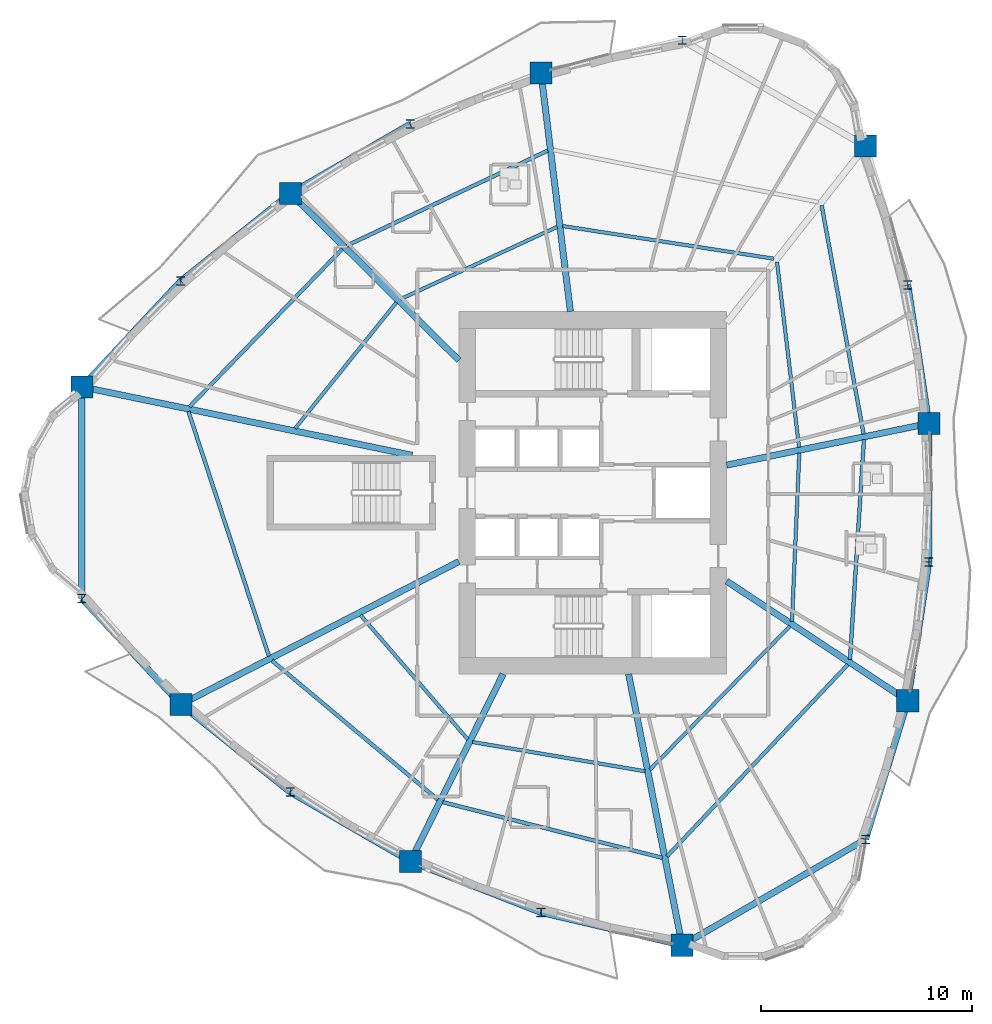
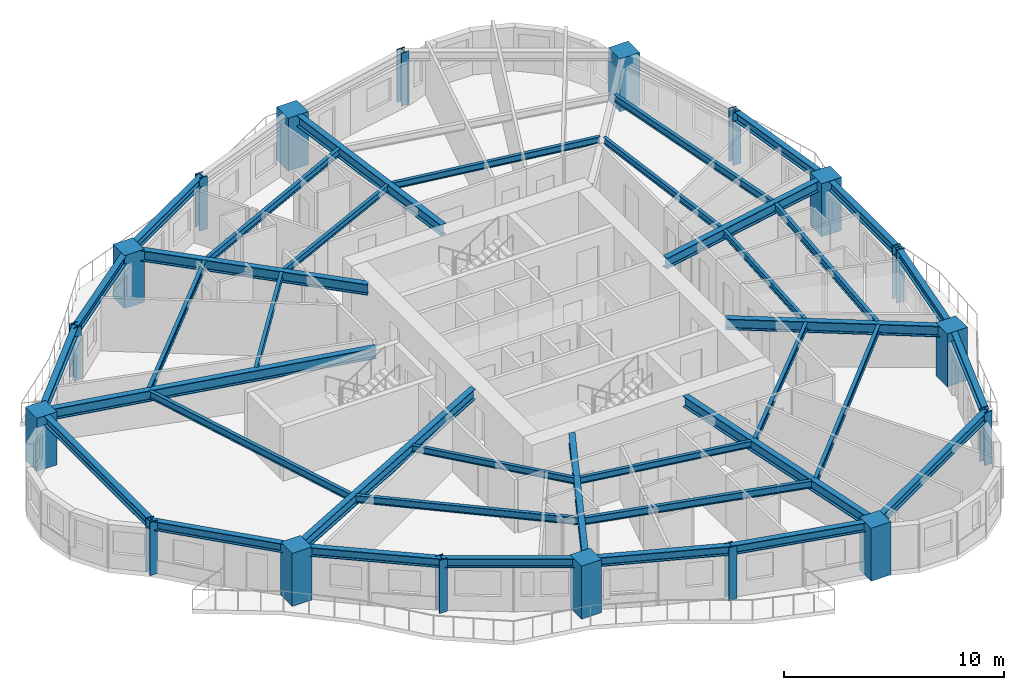
# One storey, part 1 of 13: 38 beams, 18 columns.
"""IFC4 building model written with IfcOpenShell, lengths in metres."""

from ifc_helpers import new_model, si_unit, direction, frame, origin, origin_2d, place, context, subcontext, project, spatial, rectangle, i_section, extrude, source, transform, mapped, material, material_profile, profile_set, type_object, element, save


model = new_model("IFC4")

# Units and contexts
model_context = context("Model", 3, precision=1e-05, world=origin(), true_north=direction((0.0, 1.0)))
body_context = subcontext(model_context, "Body", "Model", "MODEL_VIEW")
ifc_project = project(units=[si_unit("LENGTHUNIT", "METRE"), si_unit("AREAUNIT", "SQUARE_METRE"), si_unit("VOLUMEUNIT", "CUBIC_METRE"), si_unit("PLANEANGLEUNIT", "RADIAN"), si_unit("MASSUNIT", "GRAM", prefix="KILO")], contexts=[model_context])

# Site, building, storey
site_placement = place(None, origin())
site = spatial("IfcSite", under=ifc_project, at=site_placement, CompositionType="ELEMENT")
building_placement = place(site_placement, origin())
building = spatial("IfcBuilding", under=site, at=building_placement, Name="Qafzar Sky-Pleat Residences", CompositionType="ELEMENT")
storey_placement = place(building_placement, frame((0.0, 0.0, 46.199951171875)))
storey = spatial("IfcBuildingStorey", under=building, at=storey_placement, Name="L13", CompositionType="ELEMENT", Elevation=46.199951171875)

# Columns
ifc_material_1 = material(Name="Concrete C60/75", Category="concrete")
ifc_material_profile_1 = material_profile(ifc_material_1, rectangle(XDim=1.050048828125, YDim=1.050048828125, at=origin_2d()), Name="RC 1050x1050")
ifc_profile_set_1 = profile_set([ifc_material_profile_1], Name="Concrete C60/75")
column_type_1 = type_object("IfcColumnType", Name="COL-RC-1050", PredefinedType="COLUMN", material=ifc_profile_set_1)
shared_shape_1 = source(origin(), body_context, "Body", "SweptSolid", [
    extrude(rectangle(XDim=1.050048828125, YDim=1.050048828125, at=origin_2d()), origin(), (0.0, 0.0, 1.0), 2.93994140625),
])
for number, where, z_axis, x_axis, name in (
    (1, (6.1201171875, 31.02294921875, 0.0), (0.0, 0.0, 1.0), (1.0, 0.0, 0.0), "L13 Perimeter Mega Column 1"),
    (2, (10.814697265625, 15.95849609375, 0.0), (0.0, 0.0, 1.0), (1.0, 0.0, 0.0), "L13 Perimeter Mega Column 3"),
    (3, (21.702880859375, 8.518310546875, 0.0), (0.0, 0.0, 1.0), (1.0, 0.0, 0.0), "L13 Perimeter Mega Column 5"),
    (4, (34.590087890625, 4.539794921875, 0.0), (0.0, 0.0, 1.0), (1.0, 0.0, 0.0), "L13 Perimeter Mega Column 7"),
    (5, (45.288818359375, 16.1376953125, 0.0), (0.0, 0.0, 1.0), (1.0, 0.0, 0.0), "L13 Perimeter Mega Column 9"),
    (6, (46.2880859375, 29.287353515625, 0.0), (0.0, 0.0, 1.0), (1.0, 0.0, 0.0), "L13 Perimeter Mega Column 11"),
    (7, (43.2900390625, 42.437255859375, 0.0), (0.0, 0.0, 1.0), (1.0, 0.0, 0.0), "L13 Perimeter Mega Column 13"),
    (8, (27.896484375, 45.90380859375, 0.0), (0.0, 0.0, 1.0), (1.0, 0.0, 0.0), "L13 Perimeter Mega Column 15"),
    (9, (16.0087890625, 40.1943359375, 0.0), (0.0, 0.0, 1.0), (1.0, 0.0, 0.0), "L13 Perimeter Mega Column 17"),
):
    element("IfcColumn", number, at=place(storey_placement, frame(where, z_axis=z_axis, x_axis=x_axis)), inside=storey, type_object=column_type_1, Name=name, PredefinedType="COLUMN", context=body_context, shape_type="MappedRepresentation", body=[
        mapped(shared_shape_1, transform((0.0, 0.0, 0.0), x_axis=(1.0, 0.0, 0.0), y_axis=(0.0, 1.0, 0.0), z_axis=(0.0, 0.0, 1.0), scale=1.0)),
    ])
ifc_material_2 = material(Name="Steel S460", Category="steel")
ifc_material_profile_2 = material_profile(ifc_material_2, i_section(OverallWidth=0.408935546875, OverallDepth=0.425048828125, WebThickness=0.030029296875, FlangeThickness=0.048095703125, FilletRadius=0.014892578125, at=origin_2d()), Name="HD 400x421")
ifc_profile_set_2 = profile_set([ifc_material_profile_2], Name="Steel S460")
column_type_2 = type_object("IfcColumnType", Name="COL-STL-HD421", PredefinedType="PILASTER", material=ifc_profile_set_2)
shared_shape_2 = source(origin(), body_context, "Body", "SweptSolid", [
    extrude(i_section(OverallWidth=0.408935546875, OverallDepth=0.425048828125, WebThickness=0.030029296875, FlangeThickness=0.048095703125, FilletRadius=0.014892578125, at=origin_2d()), origin(), (0.0, 0.0, 1.0), 2.93994140625),
])
for number, where, z_axis, x_axis, name in (
    (10, (6.1201171875, 20.97705078125, 0.0), (0.0, 0.0, 1.0), (1.0, 0.0, 0.0), "L13 Perimeter Mega Column 2"),
    (11, (16.0087890625, 11.8056640625, 0.0), (0.0, 0.0, 1.0), (1.0, 0.0, 0.0), "L13 Perimeter Mega Column 4"),
    (12, (27.896484375, 6.09619140625, 0.0), (0.0, 0.0, 1.0), (1.0, 0.0, 0.0), "L13 Perimeter Mega Column 6"),
    (13, (43.2900390625, 9.562744140625, 0.0), (0.0, 0.0, 1.0), (1.0, 0.0, 0.0), "L13 Perimeter Mega Column 8"),
    (14, (46.2880859375, 22.712646484375, 0.0), (0.0, 0.0, 1.0), (1.0, 0.0, 0.0), "L13 Perimeter Mega Column 10"),
    (15, (45.288818359375, 35.8623046875, 0.0), (0.0, 0.0, 1.0), (1.0, 0.0, 0.0), "L13 Perimeter Mega Column 12"),
    (16, (34.590087890625, 47.460205078125, 0.0), (0.0, 0.0, 1.0), (1.0, 0.0, 0.0), "L13 Perimeter Mega Column 14"),
    (17, (21.702880859375, 43.481689453125, 0.0), (0.0, 0.0, 1.0), (1.0, 0.0, 0.0), "L13 Perimeter Mega Column 16"),
    (18, (10.814697265625, 36.04150390625, 0.0), (0.0, 0.0, 1.0), (1.0, 0.0, 0.0), "L13 Perimeter Mega Column 18"),
):
    element("IfcColumn", number, at=place(storey_placement, frame(where, z_axis=z_axis, x_axis=x_axis)), inside=storey, type_object=column_type_2, Name=name, PredefinedType="PILASTER", context=body_context, shape_type="MappedRepresentation", body=[
        mapped(shared_shape_2, transform((0.0, 0.0, 0.0), x_axis=(1.0, 0.0, 0.0), y_axis=(0.0, 1.0, 0.0), z_axis=(0.0, 0.0, 1.0), scale=1.0)),
    ])

# Beams
ifc_material_3 = material(Name="Steel S355", Category="steel")
ifc_material_profile_3 = material_profile(ifc_material_3, i_section(OverallWidth=0.300048828125, OverallDepth=0.5, WebThickness=0.014404296875, FlangeThickness=0.028076171875, FilletRadius=0.027099609375, at=origin_2d()), Name="HEB 500")
ifc_profile_set_3 = profile_set([ifc_material_profile_3], Name="Steel S355")
beam_type_1 = type_object("IfcBeamType", Name="BM-SPAN-HEB500", PredefinedType="SPANDREL", material=ifc_profile_set_3)
shared_shape_3 = source(origin(), body_context, "Body", "SweptSolid", [
    extrude(i_section(OverallWidth=0.300048828125, OverallDepth=0.5, WebThickness=0.014404296875, FlangeThickness=0.028076171875, FilletRadius=0.027099609375, at=origin_2d()), origin(), (0.0, 0.0, 1.0), 10.0458984375),
])
for number, where, z_axis, x_axis, name in (
    (19, (6.1201171875, 31.02294921875, 2.68798828125), (0.0, -1.0, 0.0), (1.0, 0.0, 0.0), "L13 Perimeter Spandrel Beam 1"),
    (20, (34.590087890625, 4.539794921875, 2.68798828125), (0.866024107753, 0.500002244785, 0.0), (-0.500002244785, 0.866024107753, 0.0), "L13 Perimeter Spandrel Beam 7"),
):
    element("IfcBeam", number, at=place(storey_placement, frame(where, z_axis=z_axis, x_axis=x_axis)), inside=storey, type_object=beam_type_1, Name=name, PredefinedType="SPANDREL", context=body_context, shape_type="MappedRepresentation", body=[
        mapped(shared_shape_3, transform((0.0, 0.0, 0.0), x_axis=(1.0, 0.0, 0.0), y_axis=(0.0, 1.0, 0.0), z_axis=(0.0, 0.0, 1.0), scale=1.0)),
    ])
shared_shape_4 = source(origin(), body_context, "Body", "SweptSolid", [
    extrude(i_section(OverallWidth=0.300048828125, OverallDepth=0.5, WebThickness=0.014404296875, FlangeThickness=0.028076171875, FilletRadius=0.027099609375, at=origin_2d()), origin(), (0.0, 0.0, 1.0), 6.8720703125),
])
for number, where, z_axis, x_axis, name in (
    (21, (6.1201171875, 20.97705078125, 2.68798828125), (0.683141849409, -0.73028570682, 0.0), (0.73028570682, 0.683141849409, 0.0), "L13 Perimeter Spandrel Beam 2"),
    (22, (27.896484375, 6.09619140625, 2.68798828125), (0.974016228914, -0.226478223705, 0.0), (0.226478223705, 0.974016228914, 0.0), "L13 Perimeter Spandrel Beam 6"),
    (23, (43.2900390625, 9.562744140625, 2.68798828125), (0.290856244324, 0.956766766322, 0.0), (-0.956766766322, 0.290856244324, 0.0), "L13 Perimeter Spandrel Beam 8"),
    (24, (10.814697265625, 36.04150390625, 2.68798828125), (-0.683141849409, -0.73028570682, 0.0), (0.73028570682, -0.683141849409, 0.0), "L13 Perimeter Spandrel Beam 18"),
):
    element("IfcBeam", number, at=place(storey_placement, frame(where, z_axis=z_axis, x_axis=x_axis)), inside=storey, type_object=beam_type_1, Name=name, PredefinedType="SPANDREL", context=body_context, shape_type="MappedRepresentation", body=[
        mapped(shared_shape_4, transform((0.0, 0.0, 0.0), x_axis=(1.0, 0.0, 0.0), y_axis=(0.0, 1.0, 0.0), z_axis=(0.0, 0.0, 1.0), scale=1.0)),
    ])
shared_shape_5 = source(origin(), body_context, "Body", "SweptSolid", [
    extrude(i_section(OverallWidth=0.300048828125, OverallDepth=0.5, WebThickness=0.014404296875, FlangeThickness=0.028076171875, FilletRadius=0.027099609375, at=origin_2d()), origin(), (0.0, 0.0, 1.0), 6.650146484375),
])
for number, where, z_axis, x_axis, name in (
    (25, (10.814697265625, 15.95849609375, 2.68798828125), (0.781047860297, -0.62447116821, 0.0), (0.62447116821, 0.781047860297, 0.0), "L13 Perimeter Spandrel Beam 3"),
    (26, (16.0087890625, 40.1943359375, 2.68798828125), (-0.781047860297, -0.62447116821, 0.0), (0.62447116821, -0.781047860297, 0.0), "L13 Perimeter Spandrel Beam 17"),
):
    element("IfcBeam", number, at=place(storey_placement, frame(where, z_axis=z_axis, x_axis=x_axis)), inside=storey, type_object=beam_type_1, Name=name, PredefinedType="SPANDREL", context=body_context, shape_type="MappedRepresentation", body=[
        mapped(shared_shape_5, transform((0.0, 0.0, 0.0), x_axis=(1.0, 0.0, 0.0), y_axis=(0.0, 1.0, 0.0), z_axis=(0.0, 0.0, 1.0), scale=1.0)),
    ])
shared_shape_6 = source(origin(), body_context, "Body", "SweptSolid", [
    extrude(i_section(OverallWidth=0.300048828125, OverallDepth=0.5, WebThickness=0.014404296875, FlangeThickness=0.028076171875, FilletRadius=0.027099609375, at=origin_2d()), origin(), (0.0, 0.0, 1.0), 6.574951171875),
])
for number, where, z_axis, x_axis, name in (
    (27, (16.0087890625, 11.8056640625, 2.68798828125), (0.866034091436, -0.499984952244, 0.0), (0.499984952244, 0.866034091436, 0.0), "L13 Perimeter Spandrel Beam 4"),
    (28, (21.702880859375, 43.481689453125, 2.68798828125), (-0.866034091436, -0.499984952244, 0.0), (0.499984952244, -0.866034091436, 0.0), "L13 Perimeter Spandrel Beam 16"),
):
    element("IfcBeam", number, at=place(storey_placement, frame(where, z_axis=z_axis, x_axis=x_axis)), inside=storey, type_object=beam_type_1, Name=name, PredefinedType="SPANDREL", context=body_context, shape_type="MappedRepresentation", body=[
        mapped(shared_shape_6, transform((0.0, 0.0, 0.0), x_axis=(1.0, 0.0, 0.0), y_axis=(0.0, 1.0, 0.0), z_axis=(0.0, 0.0, 1.0), scale=1.0)),
    ])
shared_shape_7 = source(origin(), body_context, "Body", "SweptSolid", [
    extrude(i_section(OverallWidth=0.300048828125, OverallDepth=0.5, WebThickness=0.014404296875, FlangeThickness=0.028076171875, FilletRadius=0.027099609375, at=origin_2d()), origin(), (0.0, 0.0, 1.0), 6.650390625),
])
for number, where, z_axis, x_axis, name in (
    (29, (21.702880859375, 8.518310546875, 2.68798828125), (0.931317505809, -0.364208324141, 0.0), (0.364208324141, 0.931317505809, 0.0), "L13 Perimeter Spandrel Beam 5"),
    (30, (45.288818359375, 16.1376953125, 2.68798828125), (0.150255576809, 0.988647187645, 0.0), (-0.988647187645, 0.150255576809, 0.0), "L13 Perimeter Spandrel Beam 9"),
    (31, (46.2880859375, 29.287353515625, 2.68798828125), (-0.150255576809, 0.988647187645, 0.0), (-0.988647187645, -0.150255576809, 0.0), "L13 Perimeter Spandrel Beam 11"),
):
    element("IfcBeam", number, at=place(storey_placement, frame(where, z_axis=z_axis, x_axis=x_axis)), inside=storey, type_object=beam_type_1, Name=name, PredefinedType="SPANDREL", context=body_context, shape_type="MappedRepresentation", body=[
        mapped(shared_shape_7, transform((0.0, 0.0, 0.0), x_axis=(1.0, 0.0, 0.0), y_axis=(0.0, 1.0, 0.0), z_axis=(0.0, 0.0, 1.0), scale=1.0)),
    ])
shared_shape_8 = source(origin(), body_context, "Body", "SweptSolid", [
    extrude(i_section(OverallWidth=0.300048828125, OverallDepth=0.5, WebThickness=0.014404296875, FlangeThickness=0.028076171875, FilletRadius=0.027099609375, at=origin_2d()), origin(), (0.0, 0.0, 1.0), 6.57470703125),
])
beam_1_placement = place(storey_placement, frame((46.2880859375, 22.712646484375, 2.68798828125), z_axis=(0.0, 1.0, 0.0), x_axis=(-1.0, 0.0, 0.0)))
element("IfcBeam", 32, at=beam_1_placement, inside=storey, type_object=beam_type_1, Name="L13 Perimeter Spandrel Beam 10", PredefinedType="SPANDREL", context=body_context, shape_type="MappedRepresentation", body=[
    mapped(shared_shape_8, transform((0.0, 0.0, 0.0), x_axis=(1.0, 0.0, 0.0), y_axis=(0.0, 1.0, 0.0), z_axis=(0.0, 0.0, 1.0), scale=1.0)),
])
ifc_material_profile_4 = material_profile(ifc_material_3, i_section(OverallWidth=0.300048828125, OverallDepth=0.60009765625, WebThickness=0.015380859375, FlangeThickness=0.030029296875, FilletRadius=0.027099609375, at=origin_2d()), Name="HEB 600")
ifc_profile_set_4 = profile_set([ifc_material_profile_4], Name="Steel S355")
beam_type_2 = type_object("IfcBeamType", Name="BM-GIRD-HEB600", PredefinedType="BEAM", material=ifc_profile_set_4)
shared_shape_9 = source(origin(), body_context, "Body", "SweptSolid", [
    extrude(i_section(OverallWidth=0.300048828125, OverallDepth=0.60009765625, WebThickness=0.015380859375, FlangeThickness=0.030029296875, FilletRadius=0.027099609375, at=origin_2d()), origin(), (0.0, 0.0, 1.0), 16.000732421875),
])
beam_2_placement = place(storey_placement, frame((6.1201171875, 31.02294921875, 2.637939453125), z_axis=(0.97917975369, -0.202995098375, 0.0), x_axis=(0.202995098375, 0.97917975369, 0.0)))
element("IfcBeam", 33, at=beam_2_placement, inside=storey, type_object=beam_type_2, Name="L13 Radial Floor Girder 1", PredefinedType="BEAM", context=body_context, shape_type="MappedRepresentation", body=[
    mapped(shared_shape_9, transform((0.0, 0.0, 0.0), x_axis=(1.0, 0.0, 0.0), y_axis=(0.0, 1.0, 0.0), z_axis=(0.0, 0.0, 1.0), scale=1.0)),
])
shared_shape_10 = source(origin(), body_context, "Body", "SweptSolid", [
    extrude(i_section(OverallWidth=0.300048828125, OverallDepth=0.60009765625, WebThickness=0.015380859375, FlangeThickness=0.030029296875, FilletRadius=0.027099609375, at=origin_2d()), origin(), (0.0, 0.0, 1.0), 14.8251953125),
])
beam_3_placement = place(storey_placement, frame((10.814697265625, 15.95849609375, 2.637939453125), z_axis=(0.889381743059, 0.457165303925, 0.0), x_axis=(-0.457165303925, 0.889381743059, 0.0)))
element("IfcBeam", 34, at=beam_3_placement, inside=storey, type_object=beam_type_2, Name="L13 Radial Floor Girder 3", PredefinedType="BEAM", context=body_context, shape_type="MappedRepresentation", body=[
    mapped(shared_shape_10, transform((0.0, 0.0, 0.0), x_axis=(1.0, 0.0, 0.0), y_axis=(0.0, 1.0, 0.0), z_axis=(0.0, 0.0, 1.0), scale=1.0)),
])
shared_shape_11 = source(origin(), body_context, "Body", "SweptSolid", [
    extrude(i_section(OverallWidth=0.300048828125, OverallDepth=0.60009765625, WebThickness=0.015380859375, FlangeThickness=0.030029296875, FilletRadius=0.027099609375, at=origin_2d()), origin(), (0.0, 0.0, 1.0), 9.90869140625),
])
beam_4_placement = place(storey_placement, frame((21.702880859375, 8.518310546875, 2.637939453125), z_axis=(0.443375685827, 0.896335875226, 0.0), x_axis=(-0.896335875226, 0.443375685827, 0.0)))
element("IfcBeam", 35, at=beam_4_placement, inside=storey, type_object=beam_type_2, Name="L13 Radial Floor Girder 5", PredefinedType="BEAM", context=body_context, shape_type="MappedRepresentation", body=[
    mapped(shared_shape_11, transform((0.0, 0.0, 0.0), x_axis=(1.0, 0.0, 0.0), y_axis=(0.0, 1.0, 0.0), z_axis=(0.0, 0.0, 1.0), scale=1.0)),
])
shared_shape_12 = source(origin(), body_context, "Body", "SweptSolid", [
    extrude(i_section(OverallWidth=0.300048828125, OverallDepth=0.60009765625, WebThickness=0.015380859375, FlangeThickness=0.030029296875, FilletRadius=0.027099609375, at=origin_2d()), origin(), (0.0, 0.0, 1.0), 13.108642578125),
])
beam_5_placement = place(storey_placement, frame((34.590087890625, 4.539794921875, 2.637939453125), z_axis=(-0.193823374402, 0.981036441492, 0.0), x_axis=(-0.981036441492, -0.193823374402, 0.0)))
element("IfcBeam", 36, at=beam_5_placement, inside=storey, type_object=beam_type_2, Name="L13 Radial Floor Girder 7", PredefinedType="BEAM", context=body_context, shape_type="MappedRepresentation", body=[
    mapped(shared_shape_12, transform((0.0, 0.0, 0.0), x_axis=(1.0, 0.0, 0.0), y_axis=(0.0, 1.0, 0.0), z_axis=(0.0, 0.0, 1.0), scale=1.0)),
])
shared_shape_13 = source(origin(), body_context, "Body", "SweptSolid", [
    extrude(i_section(OverallWidth=0.300048828125, OverallDepth=0.60009765625, WebThickness=0.015380859375, FlangeThickness=0.030029296875, FilletRadius=0.027099609375, at=origin_2d()), origin(), (0.0, 0.0, 1.0), 10.291748046875),
])
beam_6_placement = place(storey_placement, frame((45.288818359375, 16.1376953125, 2.637939453125), z_axis=(-0.834541783503, 0.550944653833, 0.0), x_axis=(-0.550944653833, -0.834541783503, 0.0)))
element("IfcBeam", 37, at=beam_6_placement, inside=storey, type_object=beam_type_2, Name="L13 Radial Floor Girder 9", PredefinedType="BEAM", context=body_context, shape_type="MappedRepresentation", body=[
    mapped(shared_shape_13, transform((0.0, 0.0, 0.0), x_axis=(1.0, 0.0, 0.0), y_axis=(0.0, 1.0, 0.0), z_axis=(0.0, 0.0, 1.0), scale=1.0)),
])
shared_shape_14 = source(origin(), body_context, "Body", "SweptSolid", [
    extrude(i_section(OverallWidth=0.300048828125, OverallDepth=0.60009765625, WebThickness=0.015380859375, FlangeThickness=0.030029296875, FilletRadius=0.027099609375, at=origin_2d()), origin(), (0.0, 0.0, 1.0), 9.7900390625),
])
beam_7_placement = place(storey_placement, frame((46.2880859375, 29.287353515625, 2.637939453125), z_axis=(-0.979386142627, -0.20199698916, 0.0), x_axis=(0.20199698916, -0.979386142627, 0.0)))
element("IfcBeam", 38, at=beam_7_placement, inside=storey, type_object=beam_type_2, Name="L13 Radial Floor Girder 11", PredefinedType="BEAM", context=body_context, shape_type="MappedRepresentation", body=[
    mapped(shared_shape_14, transform((0.0, 0.0, 0.0), x_axis=(1.0, 0.0, 0.0), y_axis=(0.0, 1.0, 0.0), z_axis=(0.0, 0.0, 1.0), scale=1.0)),
])
shared_shape_15 = source(origin(), body_context, "Body", "SweptSolid", [
    extrude(i_section(OverallWidth=0.300048828125, OverallDepth=0.60009765625, WebThickness=0.015380859375, FlangeThickness=0.030029296875, FilletRadius=0.027099609375, at=origin_2d()), origin(), (0.0, 0.0, 1.0), 11.38916015625),
])
beam_8_placement = place(storey_placement, frame((27.896484375, 45.90380859375, 2.637939453125), z_axis=(0.122335498992, -0.992488803809, 0.0), x_axis=(0.992488803809, 0.122335498992, 0.0)))
element("IfcBeam", 39, at=beam_8_placement, inside=storey, type_object=beam_type_2, Name="L13 Radial Floor Girder 15", PredefinedType="BEAM", context=body_context, shape_type="MappedRepresentation", body=[
    mapped(shared_shape_15, transform((0.0, 0.0, 0.0), x_axis=(1.0, 0.0, 0.0), y_axis=(0.0, 1.0, 0.0), z_axis=(0.0, 0.0, 1.0), scale=1.0)),
])
shared_shape_16 = source(origin(), body_context, "Body", "SweptSolid", [
    extrude(i_section(OverallWidth=0.300048828125, OverallDepth=0.60009765625, WebThickness=0.015380859375, FlangeThickness=0.030029296875, FilletRadius=0.027099609375, at=origin_2d()), origin(), (0.0, 0.0, 1.0), 11.24365234375),
])
beam_9_placement = place(storey_placement, frame((16.0087890625, 40.1943359375, 2.637939453125), z_axis=(0.710734480611, -0.703460374201, 0.0), x_axis=(0.703460374201, 0.710734480611, 0.0)))
element("IfcBeam", 40, at=beam_9_placement, inside=storey, type_object=beam_type_2, Name="L13 Radial Floor Girder 17", PredefinedType="BEAM", context=body_context, shape_type="MappedRepresentation", body=[
    mapped(shared_shape_16, transform((0.0, 0.0, 0.0), x_axis=(1.0, 0.0, 0.0), y_axis=(0.0, 1.0, 0.0), z_axis=(0.0, 0.0, 1.0), scale=1.0)),
])
ifc_material_profile_5 = material_profile(ifc_material_3, i_section(OverallWidth=0.179931640625, OverallDepth=0.39990234375, WebThickness=0.008544921875, FlangeThickness=0.013427734375, FilletRadius=0.02099609375, at=origin_2d()), Name="IPE 400")
ifc_profile_set_5 = profile_set([ifc_material_profile_5], Name="Steel S355")
beam_type_3 = type_object("IfcBeamType", Name="BM-JST-IPE400", PredefinedType="JOIST", material=ifc_profile_set_5)
shared_shape_17 = source(origin(), body_context, "Body", "SweptSolid", [
    extrude(i_section(OverallWidth=0.179931640625, OverallDepth=0.39990234375, WebThickness=0.008544921875, FlangeThickness=0.013427734375, FilletRadius=0.02099609375, at=origin_2d()), origin(), (0.0, 0.0, 1.0), 12.211181640625),
])
beam_10_placement = place(storey_placement, frame((11.17578125, 29.855224609375, 2.738037109375), z_axis=(0.312494579361, -0.94991954284, 0.0), x_axis=(0.94991954284, 0.312494579361, 0.0)))
element("IfcBeam", 41, at=beam_10_placement, inside=storey, type_object=beam_type_3, Name="L13 Outer Secondary Floor Joist 1", PredefinedType="JOIST", context=body_context, shape_type="MappedRepresentation", body=[
    mapped(shared_shape_17, transform((0.0, 0.0, 0.0), x_axis=(1.0, 0.0, 0.0), y_axis=(0.0, 1.0, 0.0), z_axis=(0.0, 0.0, 1.0), scale=1.0)),
])
shared_shape_18 = source(origin(), body_context, "Body", "SweptSolid", [
    extrude(i_section(OverallWidth=0.179931640625, OverallDepth=0.39990234375, WebThickness=0.008544921875, FlangeThickness=0.013427734375, FilletRadius=0.02099609375, at=origin_2d()), origin(), (0.0, 0.0, 1.0), 10.265380859375),
])
beam_11_placement = place(storey_placement, frame((15.137451171875, 18.040771484375, 2.738037109375), z_axis=(0.766450230396, -0.642303701006, 0.0), x_axis=(0.642303701006, 0.766450230396, 0.0)))
element("IfcBeam", 42, at=beam_11_placement, inside=storey, type_object=beam_type_3, Name="L13 Outer Secondary Floor Joist 2", PredefinedType="JOIST", context=body_context, shape_type="MappedRepresentation", body=[
    mapped(shared_shape_18, transform((0.0, 0.0, 0.0), x_axis=(1.0, 0.0, 0.0), y_axis=(0.0, 1.0, 0.0), z_axis=(0.0, 0.0, 1.0), scale=1.0)),
])
shared_shape_19 = source(origin(), body_context, "Body", "SweptSolid", [
    extrude(i_section(OverallWidth=0.179931640625, OverallDepth=0.39990234375, WebThickness=0.008544921875, FlangeThickness=0.013427734375, FilletRadius=0.02099609375, at=origin_2d()), origin(), (0.0, 0.0, 1.0), 10.73583984375),
])
beam_12_placement = place(storey_placement, frame((23.239501953125, 11.327392578125, 2.738037109375), z_axis=(0.969314247792, -0.245824915393, 0.0), x_axis=(0.245824915393, 0.969314247792, 0.0)))
element("IfcBeam", 43, at=beam_12_placement, inside=storey, type_object=beam_type_3, Name="L13 Outer Secondary Floor Joist 3", PredefinedType="JOIST", context=body_context, shape_type="MappedRepresentation", body=[
    mapped(shared_shape_19, transform((0.0, 0.0, 0.0), x_axis=(1.0, 0.0, 0.0), y_axis=(0.0, 1.0, 0.0), z_axis=(0.0, 0.0, 1.0), scale=1.0)),
])
shared_shape_20 = source(origin(), body_context, "Body", "SweptSolid", [
    extrude(i_section(OverallWidth=0.179931640625, OverallDepth=0.39990234375, WebThickness=0.008544921875, FlangeThickness=0.013427734375, FilletRadius=0.02099609375, at=origin_2d()), origin(), (0.0, 0.0, 1.0), 12.50634765625),
])
beam_13_placement = place(storey_placement, frame((33.869384765625, 8.75341796875, 2.738037109375), z_axis=(0.685920444829, 0.727676537594, 0.0), x_axis=(-0.727676537594, 0.685920444829, 0.0)))
element("IfcBeam", 44, at=beam_13_placement, inside=storey, type_object=beam_type_3, Name="L13 Outer Secondary Floor Joist 4", PredefinedType="JOIST", context=body_context, shape_type="MappedRepresentation", body=[
    mapped(shared_shape_20, transform((0.0, 0.0, 0.0), x_axis=(1.0, 0.0, 0.0), y_axis=(0.0, 1.0, 0.0), z_axis=(0.0, 0.0, 1.0), scale=1.0)),
])
shared_shape_21 = source(origin(), body_context, "Body", "SweptSolid", [
    extrude(i_section(OverallWidth=0.179931640625, OverallDepth=0.39990234375, WebThickness=0.008544921875, FlangeThickness=0.013427734375, FilletRadius=0.02099609375, at=origin_2d()), origin(), (0.0, 0.0, 1.0), 10.453857421875),
])
beam_14_placement = place(storey_placement, frame((42.548828125, 18.0869140625, 2.738037109375), z_axis=(0.063382933726, 0.997989280359, 0.0), x_axis=(-0.997989280359, 0.063382933726, 0.0)))
element("IfcBeam", 45, at=beam_14_placement, inside=storey, type_object=beam_type_3, Name="L13 Outer Secondary Floor Joist 5", PredefinedType="JOIST", context=body_context, shape_type="MappedRepresentation", body=[
    mapped(shared_shape_21, transform((0.0, 0.0, 0.0), x_axis=(1.0, 0.0, 0.0), y_axis=(0.0, 1.0, 0.0), z_axis=(0.0, 0.0, 1.0), scale=1.0)),
])
shared_shape_22 = source(origin(), body_context, "Body", "SweptSolid", [
    extrude(i_section(OverallWidth=0.179931640625, OverallDepth=0.39990234375, WebThickness=0.008544921875, FlangeThickness=0.013427734375, FilletRadius=0.02099609375, at=origin_2d()), origin(), (0.0, 0.0, 1.0), 11.01953125),
])
beam_15_placement = place(storey_placement, frame((43.195556640625, 28.787353515625, 2.738037109375), z_axis=(-0.180587223378, 0.983558973703, 0.0), x_axis=(-0.983558973703, -0.180587223378, 0.0)))
element("IfcBeam", 46, at=beam_15_placement, inside=storey, type_object=beam_type_3, Name="L13 Outer Secondary Floor Joist 6", PredefinedType="JOIST", context=body_context, shape_type="MappedRepresentation", body=[
    mapped(shared_shape_22, transform((0.0, 0.0, 0.0), x_axis=(1.0, 0.0, 0.0), y_axis=(0.0, 1.0, 0.0), z_axis=(0.0, 0.0, 1.0), scale=1.0)),
])
shared_shape_23 = source(origin(), body_context, "Body", "SweptSolid", [
    extrude(i_section(OverallWidth=0.179931640625, OverallDepth=0.39990234375, WebThickness=0.008544921875, FlangeThickness=0.013427734375, FilletRadius=0.02099609375, at=origin_2d()), origin(), (0.0, 0.0, 1.0), 10.544677734375),
])
beam_16_placement = place(storey_placement, frame((28.220458984375, 42.228759765625, 2.738037109375), z_axis=(-0.9040153296, -0.427500039589, 0.0), x_axis=(0.427500039589, -0.9040153296, 0.0)))
element("IfcBeam", 47, at=beam_16_placement, inside=storey, type_object=beam_type_3, Name="L13 Outer Secondary Floor Joist 8", PredefinedType="JOIST", context=body_context, shape_type="MappedRepresentation", body=[
    mapped(shared_shape_23, transform((0.0, 0.0, 0.0), x_axis=(1.0, 0.0, 0.0), y_axis=(0.0, 1.0, 0.0), z_axis=(0.0, 0.0, 1.0), scale=1.0)),
])
shared_shape_24 = source(origin(), body_context, "Body", "SweptSolid", [
    extrude(i_section(OverallWidth=0.179931640625, OverallDepth=0.39990234375, WebThickness=0.008544921875, FlangeThickness=0.013427734375, FilletRadius=0.02099609375, at=origin_2d()), origin(), (0.0, 0.0, 1.0), 10.41748046875),
])
beam_17_placement = place(storey_placement, frame((18.47216796875, 37.56640625, 2.738037109375), z_axis=(-0.695434700563, -0.718589296645, 0.0), x_axis=(0.718589296645, -0.695434700563, 0.0)))
element("IfcBeam", 48, at=beam_17_placement, inside=storey, type_object=beam_type_3, Name="L13 Outer Secondary Floor Joist 9", PredefinedType="JOIST", context=body_context, shape_type="MappedRepresentation", body=[
    mapped(shared_shape_24, transform((0.0, 0.0, 0.0), x_axis=(1.0, 0.0, 0.0), y_axis=(0.0, 1.0, 0.0), z_axis=(0.0, 0.0, 1.0), scale=1.0)),
])
ifc_material_profile_6 = material_profile(ifc_material_3, i_section(OverallWidth=0.169921875, OverallDepth=0.360107421875, WebThickness=0.008056640625, FlangeThickness=0.0126953125, FilletRadius=0.01806640625, at=origin_2d()), Name="IPE 360")
ifc_profile_set_6 = profile_set([ifc_material_profile_6], Name="Steel S355")
beam_type_4 = type_object("IfcBeamType", Name="BM-JST-IPE360", PredefinedType="JOIST", material=ifc_profile_set_6)
shared_shape_25 = source(origin(), body_context, "Body", "SweptSolid", [
    extrude(i_section(OverallWidth=0.169921875, OverallDepth=0.360107421875, WebThickness=0.008056640625, FlangeThickness=0.0126953125, FilletRadius=0.01806640625, at=origin_2d()), origin(), (0.0, 0.0, 1.0), 7.78076171875),
])
beam_18_placement = place(storey_placement, frame((19.341552734375, 20.194091796875, 2.758056640625), z_axis=(0.653503041025, -0.756923890078, 0.0), x_axis=(0.756923890078, 0.653503041025, 0.0)))
element("IfcBeam", 49, at=beam_18_placement, inside=storey, type_object=beam_type_4, Name="L13 Inner Secondary Floor Joist 2", PredefinedType="JOIST", context=body_context, shape_type="MappedRepresentation", body=[
    mapped(shared_shape_25, transform((0.0, 0.0, 0.0), x_axis=(1.0, 0.0, 0.0), y_axis=(0.0, 1.0, 0.0), z_axis=(0.0, 0.0, 1.0), scale=1.0)),
])
shared_shape_26 = source(origin(), body_context, "Body", "SweptSolid", [
    extrude(i_section(OverallWidth=0.169921875, OverallDepth=0.360107421875, WebThickness=0.008056640625, FlangeThickness=0.0126953125, FilletRadius=0.01806640625, at=origin_2d()), origin(), (0.0, 0.0, 1.0), 8.2998046875),
])
beam_19_placement = place(storey_placement, frame((24.647705078125, 14.179931640625, 2.758056640625), z_axis=(0.985938639777, -0.167107745467, 0.0), x_axis=(0.167107745467, 0.985938639777, 0.0)))
element("IfcBeam", 50, at=beam_19_placement, inside=storey, type_object=beam_type_4, Name="L13 Inner Secondary Floor Joist 3", PredefinedType="JOIST", context=body_context, shape_type="MappedRepresentation", body=[
    mapped(shared_shape_26, transform((0.0, 0.0, 0.0), x_axis=(1.0, 0.0, 0.0), y_axis=(0.0, 1.0, 0.0), z_axis=(0.0, 0.0, 1.0), scale=1.0)),
])
shared_shape_27 = source(origin(), body_context, "Body", "SweptSolid", [
    extrude(i_section(OverallWidth=0.169921875, OverallDepth=0.360107421875, WebThickness=0.008056640625, FlangeThickness=0.0126953125, FilletRadius=0.01806640625, at=origin_2d()), origin(), (0.0, 0.0, 1.0), 9.506103515625),
])
beam_20_placement = place(storey_placement, frame((33.05810546875, 12.866943359375, 2.758056640625), z_axis=(0.698463766196, 0.715645420101, 0.0), x_axis=(-0.715645420101, 0.698463766196, 0.0)))
element("IfcBeam", 51, at=beam_20_placement, inside=storey, type_object=beam_type_4, Name="L13 Inner Secondary Floor Joist 4", PredefinedType="JOIST", context=body_context, shape_type="MappedRepresentation", body=[
    mapped(shared_shape_27, transform((0.0, 0.0, 0.0), x_axis=(1.0, 0.0, 0.0), y_axis=(0.0, 1.0, 0.0), z_axis=(0.0, 0.0, 1.0), scale=1.0)),
])
shared_shape_28 = source(origin(), body_context, "Body", "SweptSolid", [
    extrude(i_section(OverallWidth=0.169921875, OverallDepth=0.360107421875, WebThickness=0.008056640625, FlangeThickness=0.0126953125, FilletRadius=0.01806640625, at=origin_2d()), origin(), (0.0, 0.0, 1.0), 7.992919921875),
])
beam_21_placement = place(storey_placement, frame((39.7978515625, 19.901611328125, 2.758056640625), z_axis=(0.043526033927, 0.999052293111, 0.0), x_axis=(-0.999052293111, 0.043526033927, 0.0)))
element("IfcBeam", 52, at=beam_21_placement, inside=storey, type_object=beam_type_4, Name="L13 Inner Secondary Floor Joist 5", PredefinedType="JOIST", context=body_context, shape_type="MappedRepresentation", body=[
    mapped(shared_shape_28, transform((0.0, 0.0, 0.0), x_axis=(1.0, 0.0, 0.0), y_axis=(0.0, 1.0, 0.0), z_axis=(0.0, 0.0, 1.0), scale=1.0)),
])
shared_shape_29 = source(origin(), body_context, "Body", "SweptSolid", [
    extrude(i_section(OverallWidth=0.169921875, OverallDepth=0.360107421875, WebThickness=0.008056640625, FlangeThickness=0.0126953125, FilletRadius=0.01806640625, at=origin_2d()), origin(), (0.0, 0.0, 1.0), 8.852294921875),
])
beam_22_placement = place(storey_placement, frame((40.1357421875, 28.15576171875, 2.758056640625), z_axis=(-0.118316486076, 0.992975935823, 0.0), x_axis=(-0.992975935823, -0.118316486076, 0.0)))
element("IfcBeam", 53, at=beam_22_placement, inside=storey, type_object=beam_type_4, Name="L13 Inner Secondary Floor Joist 6", PredefinedType="JOIST", context=body_context, shape_type="MappedRepresentation", body=[
    mapped(shared_shape_29, transform((0.0, 0.0, 0.0), x_axis=(1.0, 0.0, 0.0), y_axis=(0.0, 1.0, 0.0), z_axis=(0.0, 0.0, 1.0), scale=1.0)),
])
shared_shape_30 = source(origin(), body_context, "Body", "SweptSolid", [
    extrude(i_section(OverallWidth=0.169921875, OverallDepth=0.360107421875, WebThickness=0.008056640625, FlangeThickness=0.0126953125, FilletRadius=0.01806640625, at=origin_2d()), origin(), (0.0, 0.0, 1.0), 10.13623046875),
])
beam_23_placement = place(storey_placement, frame((38.93896484375, 37.100341796875, 2.758056640625), z_axis=(-0.988264529039, 0.152752154302, 0.0), x_axis=(-0.152752154302, -0.988264529039, 0.0)))
element("IfcBeam", 54, at=beam_23_placement, inside=storey, type_object=beam_type_4, Name="L13 Inner Secondary Floor Joist 7", PredefinedType="JOIST", context=body_context, shape_type="MappedRepresentation", body=[
    mapped(shared_shape_30, transform((0.0, 0.0, 0.0), x_axis=(1.0, 0.0, 0.0), y_axis=(0.0, 1.0, 0.0), z_axis=(0.0, 0.0, 1.0), scale=1.0)),
])
shared_shape_31 = source(origin(), body_context, "Body", "SweptSolid", [
    extrude(i_section(OverallWidth=0.169921875, OverallDepth=0.360107421875, WebThickness=0.008056640625, FlangeThickness=0.0126953125, FilletRadius=0.01806640625, at=origin_2d()), origin(), (0.0, 0.0, 1.0), 8.171875),
])
beam_24_placement = place(storey_placement, frame((28.665771484375, 38.61279296875, 2.758056640625), z_axis=(-0.907994358233, -0.41898239273, 0.0), x_axis=(0.41898239273, -0.907994358233, 0.0)))
element("IfcBeam", 55, at=beam_24_placement, inside=storey, type_object=beam_type_4, Name="L13 Inner Secondary Floor Joist 8", PredefinedType="JOIST", context=body_context, shape_type="MappedRepresentation", body=[
    mapped(shared_shape_31, transform((0.0, 0.0, 0.0), x_axis=(1.0, 0.0, 0.0), y_axis=(0.0, 1.0, 0.0), z_axis=(0.0, 0.0, 1.0), scale=1.0)),
])
shared_shape_32 = source(origin(), body_context, "Body", "SweptSolid", [
    extrude(i_section(OverallWidth=0.169921875, OverallDepth=0.360107421875, WebThickness=0.008056640625, FlangeThickness=0.0126953125, FilletRadius=0.01806640625, at=origin_2d()), origin(), (0.0, 0.0, 1.0), 7.670654296875),
])
beam_25_placement = place(storey_placement, frame((21.03857421875, 35.027099609375, 2.758056640625), z_axis=(-0.626633862879, -0.77931380194, 0.0), x_axis=(0.77931380194, -0.626633862879, 0.0)))
element("IfcBeam", 56, at=beam_25_placement, inside=storey, type_object=beam_type_4, Name="L13 Inner Secondary Floor Joist 9", PredefinedType="JOIST", context=body_context, shape_type="MappedRepresentation", body=[
    mapped(shared_shape_32, transform((0.0, 0.0, 0.0), x_axis=(1.0, 0.0, 0.0), y_axis=(0.0, 1.0, 0.0), z_axis=(0.0, 0.0, 1.0), scale=1.0)),
])

save(model, "model.ifc")
